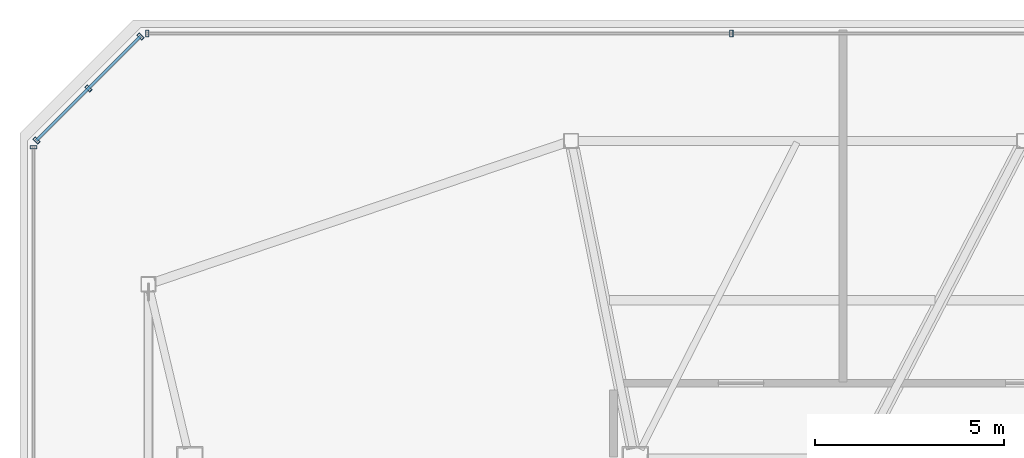
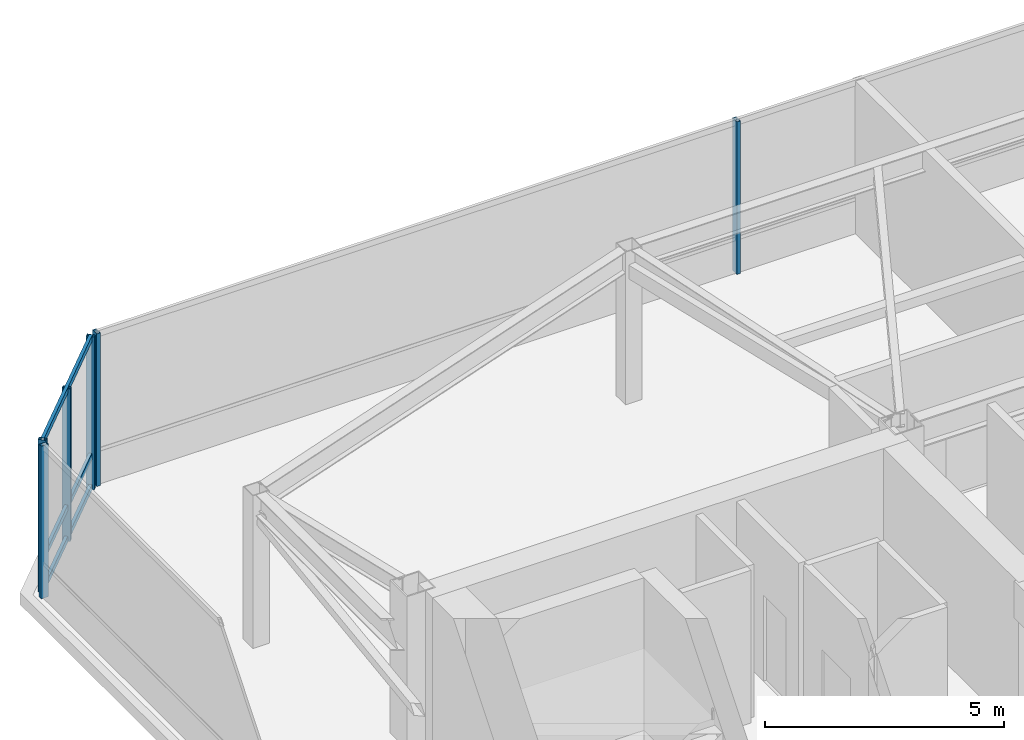
# One storey, part 13 of 21: 9 members, 3 elements without a shape of their own.
"""IFC4 building model written with IfcOpenShell, lengths in metres."""

import ifcopenshell
import ifcopenshell.guid

model = None  # the IFC model being written
_history = None  # IfcOwnerHistory: only IFC2X3 demands one
_inside = {}  # id of a spatial element -> (the spatial element, [elements in it])
_under = {}  # id of a project, library or spatial element -> (it, [spatial elements below it])
_declared = {}  # id of a project -> (the project, [libraries it declares])
_typed = {}  # id of a type object -> (the type object, [elements of that type])
_made_of = {}  # id of a material, layer set ... -> (it, [elements and type objects made of it])


def new_model(schema):
    """Start an empty IFC model of exactly this schema.

    Asked for "IFC4X3", IfcOpenShell would pick the latest addendum, in which some entities
    have other attributes; the version numbers below select the first issue.
    IFC2X3 requires an IfcOwnerHistory on every rooted entity: one is made here for all.
    """
    global model, _history
    if schema == "IFC4X3":
        model = ifcopenshell.file(schema_version=(4, 3, 0, 0))
    else:
        model = ifcopenshell.file(schema=schema)
    _inside.clear()
    _under.clear()
    _declared.clear()
    _typed.clear()
    _made_of.clear()
    _history = None
    if model.schema == "IFC2X3":
        org = make("IfcOrganization", Name="unknown")
        user = make(
            "IfcPersonAndOrganization",
            ThePerson=make("IfcPerson", FamilyName="unknown"),
            TheOrganization=org,
        )
        app = make(
            "IfcApplication",
            ApplicationDeveloper=org,
            Version="unknown",
            ApplicationFullName="unknown",
            ApplicationIdentifier="unknown",
        )
        _history = make(
            "IfcOwnerHistory",
            OwningUser=user,
            OwningApplication=app,
            ChangeAction="ADDED",
            CreationDate=0,
        )
    return model


def make(cls, **values):
    """One entity of the class cls with the attributes given. An attribute that is None is left unset."""
    return model.create_entity(
        cls, **{name: value for name, value in values.items() if value is not None}
    )


def rooted(cls, **values):
    """An entity with a GlobalId (a new one), such as an element, a storey or a relation."""
    return make(cls, GlobalId=ifcopenshell.guid.new(), OwnerHistory=_history, **values)


def si_unit(unit_type, name, prefix=None):
    """IfcSIUnit, for example si_unit("LENGTHUNIT", "METRE", prefix="MILLI")."""
    return make("IfcSIUnit", UnitType=unit_type, Prefix=prefix, Name=name)


def assignment(units):
    """IfcUnitAssignment: the units of a project."""
    return None if units is None else make("IfcUnitAssignment", Units=units)


def point(xyz):
    """IfcCartesianPoint."""
    return None if xyz is None else make("IfcCartesianPoint", Coordinates=xyz)


def direction(xyz):
    """IfcDirection."""
    return None if xyz is None else make("IfcDirection", DirectionRatios=xyz)


def frame(location, z_axis=None, x_axis=None):
    """IfcAxis2Placement3D, a coordinate frame: its origin and axes. An axis left out is left unset."""
    return make(
        "IfcAxis2Placement3D",
        Location=point(location),
        Axis=direction(z_axis),
        RefDirection=direction(x_axis),
    )


def frame_2d(location, x_axis=None):
    """IfcAxis2Placement2D, a coordinate frame in the plane: its origin and x axis."""
    return make(
        "IfcAxis2Placement2D", Location=point(location), RefDirection=direction(x_axis)
    )


def origin():
    """The frame at (0, 0, 0) with its axes left unset."""
    return frame((0.0, 0.0, 0.0))


def origin_2d():
    """The frame at (0, 0) in the plane with its x axis left unset."""
    return frame_2d((0.0, 0.0))


def place(relative_to, where):
    """IfcLocalPlacement: puts the frame where relative to a parent placement (None: the world)."""
    return make(
        "IfcLocalPlacement", PlacementRelTo=relative_to, RelativePlacement=where
    )


def context(
    kind, dimensions, precision=None, world=None, true_north=None, identifier=None
):
    """IfcGeometricRepresentationContext, for example the 3D "Model" context."""
    return make(
        "IfcGeometricRepresentationContext",
        ContextIdentifier=identifier,
        ContextType=kind,
        CoordinateSpaceDimension=dimensions,
        Precision=precision,
        WorldCoordinateSystem=world,
        TrueNorth=true_north,
    )


def subcontext(parent, identifier, kind, view, scale=None):
    """IfcGeometricRepresentationSubContext, for example "Body" below "Model"."""
    return make(
        "IfcGeometricRepresentationSubContext",
        ContextIdentifier=identifier,
        ContextType=kind,
        ParentContext=parent,
        TargetScale=scale,
        TargetView=view,
    )


def project(units=None, contexts=None):
    """IfcProject with its units and contexts."""
    return rooted(
        "IfcProject",
        Name="project",
        RepresentationContexts=contexts,
        UnitsInContext=assignment(units),
    )


def spatial(cls, under=None, at=None, **own):
    """A site, building, storey or space (cls), placed at a placement, below another one or the project."""
    s = rooted(cls, ObjectPlacement=at, **own)
    if under is not None:
        _under.setdefault(under.id(), (under, []))[1].append(s)
    return s


def profile(cls, at=None, kind="AREA", **sizes):
    """A parametric profile (cls). Its sizes go by their IFC names, for example OverallWidth=200.0."""
    return make(cls, ProfileType=kind, Position=at, **sizes)


def hollow_rectangle(**sizes):
    """IfcRectangleHollowProfileDef."""
    return profile("IfcRectangleHollowProfileDef", **sizes)


def extrude(swept, where, along, depth):
    """IfcExtrudedAreaSolid: the profile swept, set in the frame where, extruded along a direction by depth."""
    return make(
        "IfcExtrudedAreaSolid",
        SweptArea=swept,
        Position=where,
        ExtrudedDirection=direction(along),
        Depth=depth,
    )


def shape(context_of_items, identifier, shape_type, items):
    """IfcShapeRepresentation: the items that make up one representation, for example the "Body"."""
    return make(
        "IfcShapeRepresentation",
        ContextOfItems=context_of_items,
        RepresentationIdentifier=identifier,
        RepresentationType=shape_type,
        Items=items,
    )


def material(Name=None, Category=None):
    """IfcMaterial."""
    return make("IfcMaterial", Name=Name, Category=Category)


def layer(
    of_material, thickness, ventilated=None, Name=None, Category=None, Priority=None
):
    """IfcMaterialLayer: one layer of a wall or slab, of a material (None: an air gap)."""
    return make(
        "IfcMaterialLayer",
        Material=of_material,
        LayerThickness=thickness,
        IsVentilated=ventilated,
        Name=Name,
        Category=Category,
        Priority=Priority,
    )


def layer_set(layers, Name=None):
    """IfcMaterialLayerSet."""
    return make("IfcMaterialLayerSet", MaterialLayers=layers, LayerSetName=Name)


def material_profile(
    of_material, cross_section, Name=None, Category=None, Priority=None
):
    """IfcMaterialProfile: a cross section and its material."""
    return make(
        "IfcMaterialProfile",
        Name=Name,
        Material=of_material,
        Profile=cross_section,
        Priority=Priority,
        Category=Category,
    )


def profile_set(profiles, Name=None, composite=None):
    """IfcMaterialProfileSet."""
    return make(
        "IfcMaterialProfileSet",
        Name=Name,
        MaterialProfiles=profiles,
        CompositeProfile=composite,
    )


def made_of(thing, what):
    """Note that an element or type object is made of a material, layer set ...; save() writes the relation."""
    if what is not None:
        _made_of.setdefault(what.id(), (what, []))[1].append(thing)
    return thing


def type_object(cls, material=None, **own):
    """A type object (cls), such as IfcWallType, which elements share."""
    return made_of(rooted(cls, **own), material)


def element(
    cls,
    number,
    at=None,
    inside=None,
    cuts=None,
    type_object=None,
    material=None,
    context=None,
    identifier="Body",
    shape_type=None,
    held_by="IfcProductDefinitionShape",
    body=None,
    shapes=None,
    **own,
):
    """One element of the class cls, such as IfcWall. Its Tag is "e" and its number.

    at: its placement. inside: the storey or other place that contains it. cuts: it is an
    opening in that element (IfcRelVoidsElement). A single representation is given by context,
    identifier, shape_type and body (its items); several are given by shapes. held_by: the class
    of the entity that holds the representations. save() writes the other relations.
    """
    e = rooted(cls, Tag="e%d" % number, ObjectPlacement=at, **own)
    if body is not None:
        shapes = [shape(context, identifier, shape_type, body)]
    if shapes is not None:
        e.Representation = make(held_by, Representations=shapes)
    if inside is not None:
        _inside.setdefault(inside.id(), (inside, []))[1].append(e)
    if cuts is not None:
        rooted(
            "IfcRelVoidsElement", RelatingBuildingElement=cuts, RelatedOpeningElement=e
        )
    if type_object is not None:
        _typed.setdefault(type_object.id(), (type_object, []))[1].append(e)
    return made_of(e, material)


def aggregate(whole, parts):
    """IfcRelAggregates: a whole, such as a stair, and the parts it consists of."""
    return rooted("IfcRelAggregates", RelatingObject=whole, RelatedObjects=parts)


def save(model, path):
    """Write the relations noted so far, then the file.

    IfcRelAggregates (storeys below a building ...), IfcRelContainedInSpatialStructure (elements
    in a storey), IfcRelDefinesByType, IfcRelAssociatesMaterial and IfcRelDeclares: one each for
    every whole, place, type object, material and project.
    """
    for whole, parts in _under.values():
        aggregate(whole, parts)
    for where, things in _inside.values():
        rooted(
            "IfcRelContainedInSpatialStructure",
            RelatedElements=things,
            RelatingStructure=where,
        )
    for kind, things in _typed.values():
        rooted("IfcRelDefinesByType", RelatedObjects=things, RelatingType=kind)
    for what, things in _made_of.values():
        rooted("IfcRelAssociatesMaterial", RelatedObjects=things, RelatingMaterial=what)
    for by, libraries in _declared.values():
        rooted("IfcRelDeclares", RelatingContext=by, RelatedDefinitions=libraries)
    model.write(path)


model = new_model("IFC4")

# Units and contexts
model_context = context("Model", 3, precision=1e-05, world=origin(), true_north=direction((0.0, 1.0)))
body_context = subcontext(model_context, "Body", "Model", "MODEL_VIEW")
ifc_project = project(units=[si_unit("LENGTHUNIT", "METRE"), si_unit("AREAUNIT", "SQUARE_METRE"), si_unit("VOLUMEUNIT", "CUBIC_METRE"), si_unit("PLANEANGLEUNIT", "RADIAN"), si_unit("MASSUNIT", "GRAM", prefix="KILO")], contexts=[model_context])

# Site, building, storey
site_placement = place(None, origin())
site = spatial("IfcSite", under=ifc_project, at=site_placement, CompositionType="ELEMENT")
building_placement = place(site_placement, origin())
building = spatial("IfcBuilding", under=site, at=building_placement, Name="Tavrogorsk Clinical Tower", CompositionType="ELEMENT")
storey_placement = place(building_placement, frame((0.0, 0.0, 348.60009765625)))
storey = spatial("IfcBuildingStorey", under=building, at=storey_placement, Name="L81", CompositionType="ELEMENT", Elevation=348.60009765625)

# Curtain wall, member
ifc_material_1 = material(Name="Anodised aluminium and triple IGU glazing", Category="aluminium")
ifc_layer = layer(ifc_material_1, 0.179931640625)
ifc_layer_set = layer_set([ifc_layer], Name="Anodised aluminium and triple IGU glazing")
curtain_wall_type = type_object("IfcCurtainWallType", Name="CW5_SkyLobby", PredefinedType="NOTDEFINED", material=ifc_layer_set)
curtain_wall_1_placement = place(storey_placement, origin())
curtain_wall_1 = element("IfcCurtainWall", 1, at=curtain_wall_1_placement, inside=storey, type_object=curtain_wall_type, Name="L81 Curtain Wall CW-L81-DRUM-2", PredefinedType="NOTDEFINED")
ifc_material_2 = material(Name="Anodised aluminium alloy AW-6060", Category="aluminium")
ifc_material_profile_1 = material_profile(ifc_material_2, hollow_rectangle(XDim=0.090087890625, YDim=0.179931640625, WallThickness=0.00634765625, at=origin_2d()), Name="RHS-180x90x6.3")
ifc_profile_set_1 = profile_set([ifc_material_profile_1], Name="Anodised aluminium alloy AW-6060")
member_type_1 = type_object("IfcMemberType", Name="CwMullion_180x90", PredefinedType="MULLION", material=ifc_profile_set_1)
member_1_placement = place(storey_placement, frame((-26.239990234375, 14.628662109375, 0.0), z_axis=(0.0, 0.0, 1.0), x_axis=(0.0, 1.0, 0.0)))
member_1 = element("IfcMember", 2, at=member_1_placement, type_object=member_type_1, Name="CW-L81-DRUM-2 Mullion 4", PredefinedType="MULLION", context=body_context, shape_type="SweptSolid", body=[
    extrude(hollow_rectangle(XDim=0.090087890625, YDim=0.179931640625, WallThickness=0.00634765625, at=origin_2d()), origin(), (0.0, 0.0, 1.0), 3.89990234375),
])
aggregate(curtain_wall_1, [member_1])

# Curtain wall, members
curtain_wall_2_placement = place(storey_placement, origin())
curtain_wall_2 = element("IfcCurtainWall", 3, at=curtain_wall_2_placement, inside=storey, type_object=curtain_wall_type, Name="L81 Curtain Wall CW-L81-DRUM-3", PredefinedType="NOTDEFINED")
member_2_placement = place(storey_placement, frame((-26.165771484375, 14.807861328125, 0.0), z_axis=(0.0, 0.0, 1.0), x_axis=(0.707106781187, 0.707106781187, 0.0)))
member_2 = element("IfcMember", 4, at=member_2_placement, type_object=member_type_1, Name="CW-L81-DRUM-3 Mullion 1", PredefinedType="MULLION", context=body_context, shape_type="SweptSolid", body=[
    extrude(hollow_rectangle(XDim=0.090087890625, YDim=0.179931640625, WallThickness=0.00634765625, at=origin_2d()), origin(), (0.0, 0.0, 1.0), 3.89990234375),
])
member_3_placement = place(storey_placement, frame((-24.786865234375, 16.186767578125, 0.0), z_axis=(0.0, 0.0, 1.0), x_axis=(0.707106781187, 0.707106781187, 0.0)))
member_3 = element("IfcMember", 5, at=member_3_placement, type_object=member_type_1, Name="CW-L81-DRUM-3 Mullion 2", PredefinedType="MULLION", context=body_context, shape_type="SweptSolid", body=[
    extrude(hollow_rectangle(XDim=0.090087890625, YDim=0.179931640625, WallThickness=0.00634765625, at=origin_2d()), origin(), (0.0, 0.0, 1.0), 3.89990234375),
])
member_4_placement = place(storey_placement, frame((-23.407958984375, 17.565673828125, 0.0), z_axis=(0.0, 0.0, 1.0), x_axis=(0.707106781187, 0.707106781187, 0.0)))
member_4 = element("IfcMember", 6, at=member_4_placement, type_object=member_type_1, Name="CW-L81-DRUM-3 Mullion 3", PredefinedType="MULLION", context=body_context, shape_type="SweptSolid", body=[
    extrude(hollow_rectangle(XDim=0.090087890625, YDim=0.179931640625, WallThickness=0.00634765625, at=origin_2d()), origin(), (0.0, 0.0, 1.0), 3.89990234375),
])

curtain_wall_3_placement = place(storey_placement, origin())
curtain_wall_3 = element("IfcCurtainWall", 7, at=curtain_wall_3_placement, inside=storey, type_object=curtain_wall_type, Name="L81 Curtain Wall CW-L81-DRUM-4", PredefinedType="NOTDEFINED")
member_5_placement = place(storey_placement, frame((-23.228759765625, 17.639892578125, 0.0), z_axis=(0.0, 0.0, 1.0), x_axis=(1.0, 0.0, 0.0)))
member_5 = element("IfcMember", 8, at=member_5_placement, type_object=member_type_1, Name="CW-L81-DRUM-4 Mullion 1", PredefinedType="MULLION", context=body_context, shape_type="SweptSolid", body=[
    extrude(hollow_rectangle(XDim=0.090087890625, YDim=0.179931640625, WallThickness=0.00634765625, at=origin_2d()), origin(), (0.0, 0.0, 1.0), 3.89990234375),
])
member_6_placement = place(storey_placement, frame((-7.7578125, 17.639892578125, 0.0), z_axis=(0.0, 0.0, 1.0), x_axis=(1.0, 0.0, 0.0)))
member_6 = element("IfcMember", 9, at=member_6_placement, type_object=member_type_1, Name="CW-L81-DRUM-4 Mullion 2", PredefinedType="MULLION", context=body_context, shape_type="SweptSolid", body=[
    extrude(hollow_rectangle(XDim=0.090087890625, YDim=0.179931640625, WallThickness=0.00634765625, at=origin_2d()), origin(), (0.0, 0.0, 1.0), 3.89990234375),
])
aggregate(curtain_wall_3, [member_5, member_6])

# Member
ifc_material_3 = material(Name="Anodised aluminium alloy AW-6060", Category="aluminium")
ifc_material_profile_2 = material_profile(ifc_material_3, hollow_rectangle(XDim=0.074951171875, YDim=0.14990234375, WallThickness=0.0048828125, at=origin_2d()), Name="RHS-150x75x5")
ifc_profile_set_2 = profile_set([ifc_material_profile_2], Name="Anodised aluminium alloy AW-6060")
member_type_2 = type_object("IfcMemberType", Name="CwTransom_150x75", PredefinedType="USERDEFINED", material=ifc_profile_set_2)
member_7_placement = place(storey_placement, frame((-26.165771484375, 14.807861328125, 0.0498046875), z_axis=(0.707106781187, 0.707106781187, 0.0), x_axis=(-0.707106781187, 0.707106781187, 0.0)))
member_7 = element("IfcMember", 10, at=member_7_placement, type_object=member_type_2, Name="CW-L81-DRUM-3 Transom 1", ObjectType="TRANSOM", PredefinedType="USERDEFINED", context=body_context, shape_type="SweptSolid", body=[
    extrude(hollow_rectangle(XDim=0.074951171875, YDim=0.14990234375, WallThickness=0.0048828125, at=origin_2d()), origin(), (0.0, 0.0, 1.0), 3.900146484375),
])

member_8_placement = place(storey_placement, frame((-26.165771484375, 14.807861328125, 0.849853515625), z_axis=(0.707106781187, 0.707106781187, 0.0), x_axis=(-0.707106781187, 0.707106781187, 0.0)))
member_8 = element("IfcMember", 11, at=member_8_placement, type_object=member_type_2, Name="CW-L81-DRUM-3 Transom 2", ObjectType="TRANSOM", PredefinedType="USERDEFINED", context=body_context, shape_type="SweptSolid", body=[
    extrude(hollow_rectangle(XDim=0.074951171875, YDim=0.14990234375, WallThickness=0.0048828125, at=origin_2d()), origin(), (0.0, 0.0, 1.0), 3.900146484375),
])

member_9_placement = place(storey_placement, frame((-26.165771484375, 14.807861328125, 3.849853515625), z_axis=(0.707106781187, 0.707106781187, 0.0), x_axis=(-0.707106781187, 0.707106781187, 0.0)))
member_9 = element("IfcMember", 12, at=member_9_placement, type_object=member_type_2, Name="CW-L81-DRUM-3 Transom 3", ObjectType="TRANSOM", PredefinedType="USERDEFINED", context=body_context, shape_type="SweptSolid", body=[
    extrude(hollow_rectangle(XDim=0.074951171875, YDim=0.14990234375, WallThickness=0.0048828125, at=origin_2d()), origin(), (0.0, 0.0, 1.0), 3.900146484375),
])

aggregate(curtain_wall_2, [member_2, member_3, member_4, member_7, member_8, member_9])

save(model, "model.ifc")
